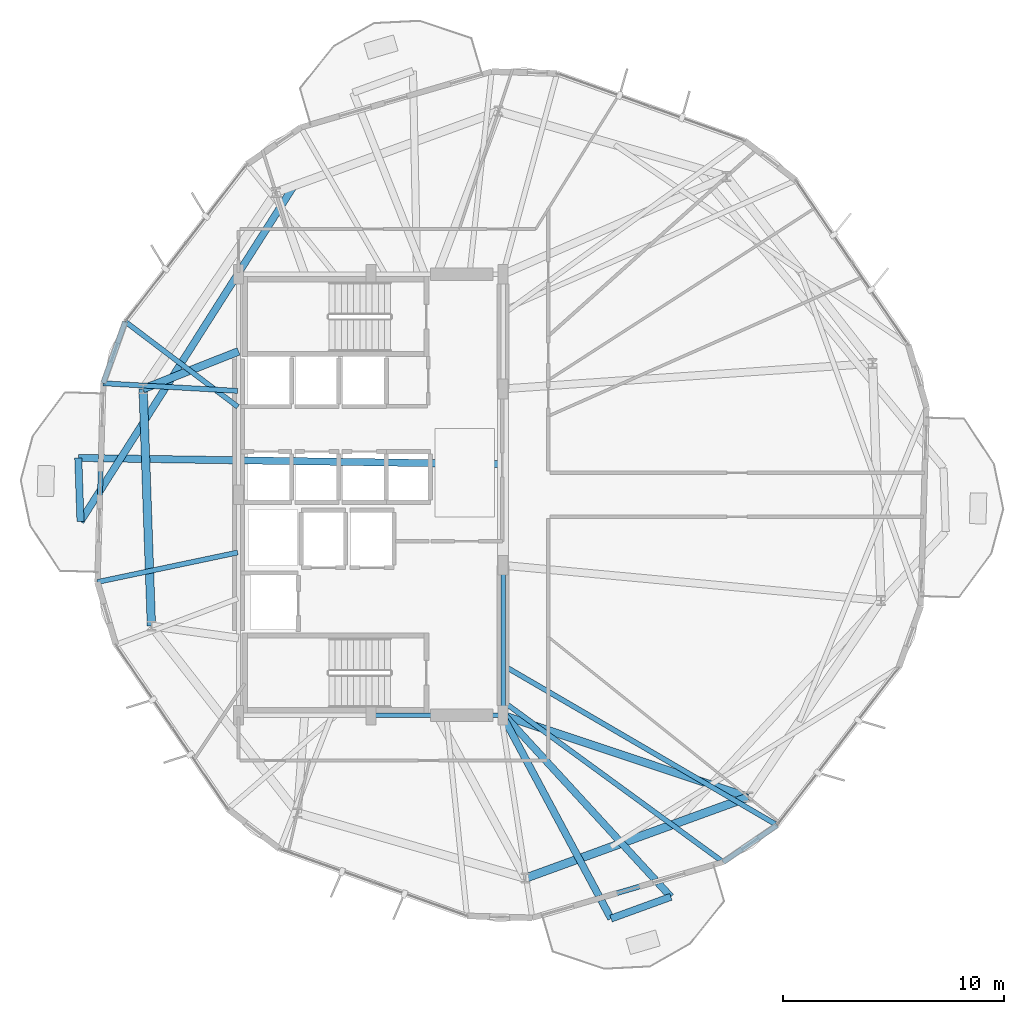
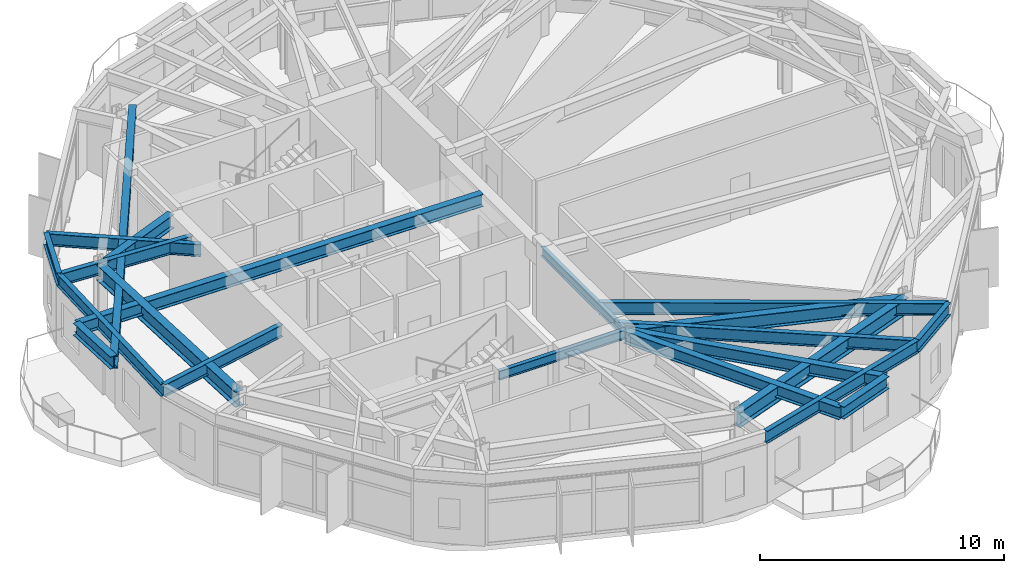
# One storey, part 5 of 24: 21 beams.
"""IFC4 building model written with IfcOpenShell, lengths in metres."""

from ifc_helpers import new_model, si_unit, direction, frame, origin, origin_2d, place, context, subcontext, project, spatial, i_section, extrude, material, material_profile, profile_set, type_object, element, save


model = new_model("IFC4")

# Units and contexts
model_context = context("Model", 3, precision=1e-05, world=origin(), true_north=direction((0.0, 1.0)))
body_context = subcontext(model_context, "Body", "Model", "MODEL_VIEW")
ifc_project = project(units=[si_unit("LENGTHUNIT", "METRE"), si_unit("AREAUNIT", "SQUARE_METRE"), si_unit("VOLUMEUNIT", "CUBIC_METRE"), si_unit("PLANEANGLEUNIT", "RADIAN"), si_unit("MASSUNIT", "GRAM", prefix="KILO")], contexts=[model_context])

# Site, building, storey
site_placement = place(None, origin())
site = spatial("IfcSite", under=ifc_project, at=site_placement, CompositionType="ELEMENT")
building_placement = place(site_placement, origin())
building = spatial("IfcBuilding", under=site, at=building_placement, Name="Soratama Intermodal Tower", CompositionType="ELEMENT")
storey_placement = place(building_placement, frame((0.0, 0.0, 91.300048828125)))
storey = spatial("IfcBuildingStorey", under=building, at=storey_placement, Name="L21", CompositionType="ELEMENT", Elevation=91.300048828125)

# Beams
ifc_material_1 = material(Name="Structural steel ASTM A992 Grade 50", Category="steel")
ifc_material_profile_1 = material_profile(ifc_material_1, i_section(OverallWidth=0.324951171875, OverallDepth=0.615966796875, WebThickness=0.013916015625, FlangeThickness=0.021484375, FilletRadius=0.013916015625, at=origin_2d()), Name="W24X117")
ifc_profile_set_1 = profile_set([ifc_material_profile_1], Name="Structural steel ASTM A992 Grade 50")
beam_type_1 = type_object("IfcBeamType", Name="BM-CANT-W24X117", PredefinedType="BEAM", material=ifc_profile_set_1)
beam_1_placement = place(storey_placement, frame((25.3330078125, 26.66796875, 3.2919921875), z_axis=(0.034686639918, -0.999398237447, 0.0), x_axis=(0.999398237447, 0.034686639918, 0.0)))
element("IfcBeam", 1, at=beam_1_placement, inside=storey, type_object=beam_type_1, Name="BM-L21-CBHDR-3", PredefinedType="BEAM", context=body_context, shape_type="SweptSolid", body=[
    extrude(i_section(OverallWidth=0.324951171875, OverallDepth=0.615966796875, WebThickness=0.013916015625, FlangeThickness=0.021484375, FilletRadius=0.013916015625, at=origin_2d()), origin(), (0.0, 0.0, 1.0), 2.8857421875),
])
beam_2_placement = place(storey_placement, frame((49.490966796875, 5.780029296875, 3.2919921875), z_axis=(0.93969211405, 0.342021535569, 0.0), x_axis=(-0.342021535569, 0.93969211405, 0.0)))
element("IfcBeam", 2, at=beam_2_placement, inside=storey, type_object=beam_type_1, Name="BM-L21-CBHDR-4", PredefinedType="BEAM", context=body_context, shape_type="SweptSolid", body=[
    extrude(i_section(OverallWidth=0.324951171875, OverallDepth=0.615966796875, WebThickness=0.013916015625, FlangeThickness=0.021484375, FilletRadius=0.013916015625, at=origin_2d()), origin(), (0.0, 0.0, 1.0), 2.885986328125),
])
beam_3_placement = place(storey_placement, frame((44.364990234375, 26.385986328125, 3.2919921875), z_axis=(-0.999890257582, 0.014814614169, 0.0), x_axis=(-0.014814614169, -0.999890257582, 0.0)))
element("IfcBeam", 3, at=beam_3_placement, inside=storey, type_object=beam_type_1, Name="BM-L21-CANT-3-1", PredefinedType="BEAM", context=body_context, shape_type="SweptSolid", body=[
    extrude(i_section(OverallWidth=0.324951171875, OverallDepth=0.615966796875, WebThickness=0.013916015625, FlangeThickness=0.021484375, FilletRadius=0.013916015625, at=origin_2d()), origin(), (0.0, 0.0, 1.0), 19.0341796875),
])
beam_4_placement = place(storey_placement, frame((35.092041015625, 38.97802734375, 3.2919921875), z_axis=(-0.536478839385, -0.84391377219, 0.0), x_axis=(0.84391377219, -0.536478839385, 0.0)))
element("IfcBeam", 4, at=beam_4_placement, inside=storey, type_object=beam_type_1, Name="BM-L21-CANT-3-2", PredefinedType="BEAM", context=body_context, shape_type="SweptSolid", body=[
    extrude(i_section(OverallWidth=0.324951171875, OverallDepth=0.615966796875, WebThickness=0.013916015625, FlangeThickness=0.021484375, FilletRadius=0.013916015625, at=origin_2d()), origin(), (0.0, 0.0, 1.0), 18.00439453125),
])
beam_5_placement = place(storey_placement, frame((44.575927734375, 14.965087890625, 3.2919921875), z_axis=(0.47180903985, -0.881700759847, 0.0), x_axis=(0.881700759847, 0.47180903985, 0.0)))
element("IfcBeam", 5, at=beam_5_placement, inside=storey, type_object=beam_type_1, Name="BM-L21-CANT-4-1", PredefinedType="BEAM", context=body_context, shape_type="SweptSolid", body=[
    extrude(i_section(OverallWidth=0.324951171875, OverallDepth=0.615966796875, WebThickness=0.013916015625, FlangeThickness=0.021484375, FilletRadius=0.013916015625, at=origin_2d()), origin(), (0.0, 0.0, 1.0), 10.41748046875),
])
beam_6_placement = place(storey_placement, frame((44.626953125, 15.01806640625, 3.2919921875), z_axis=(0.676332366368, -0.736596585794, 0.0), x_axis=(0.736596585794, 0.676332366368, 0.0)))
element("IfcBeam", 6, at=beam_6_placement, inside=storey, type_object=beam_type_1, Name="BM-L21-CANT-4-2", PredefinedType="BEAM", context=body_context, shape_type="SweptSolid", body=[
    extrude(i_section(OverallWidth=0.324951171875, OverallDepth=0.615966796875, WebThickness=0.013916015625, FlangeThickness=0.021484375, FilletRadius=0.013916015625, at=origin_2d()), origin(), (0.0, 0.0, 1.0), 11.201416015625),
])
ifc_material_2 = material(Name="Structural steel ASTM A992 Grade 50", Category="steel")
ifc_material_profile_2 = material_profile(ifc_material_2, i_section(OverallWidth=0.19091796875, OverallDepth=0.4599609375, WebThickness=0.010009765625, FlangeThickness=0.01611328125, FilletRadius=0.010986328125, at=origin_2d()), Name="W18X55")
ifc_profile_set_2 = profile_set([ifc_material_profile_2], Name="Structural steel ASTM A992 Grade 50")
beam_type_2 = type_object("IfcBeamType", Name="BM-FLR-W18X55", PredefinedType="BEAM", material=ifc_profile_set_2)
beam_7_placement = place(storey_placement, frame((38.60009765625, 15.0, 3.369873046875), z_axis=(1.0, 0.0, 0.0), x_axis=(0.0, 1.0, 0.0)))
element("IfcBeam", 7, at=beam_7_placement, inside=storey, type_object=beam_type_2, Name="BM-L21-CRING-02", PredefinedType="BEAM", context=body_context, shape_type="SweptSolid", body=[
    extrude(i_section(OverallWidth=0.19091796875, OverallDepth=0.4599609375, WebThickness=0.010009765625, FlangeThickness=0.01611328125, FilletRadius=0.010986328125, at=origin_2d()), origin(), (0.0, 0.0, 1.0), 6.0),
])
beam_8_placement = place(storey_placement, frame((44.60009765625, 15.0, 3.369873046875), z_axis=(0.0, 1.0, 0.0), x_axis=(-1.0, 0.0, 0.0)))
element("IfcBeam", 8, at=beam_8_placement, inside=storey, type_object=beam_type_2, Name="BM-L21-CRING-03", PredefinedType="BEAM", context=body_context, shape_type="SweptSolid", body=[
    extrude(i_section(OverallWidth=0.19091796875, OverallDepth=0.4599609375, WebThickness=0.010009765625, FlangeThickness=0.01611328125, FilletRadius=0.010986328125, at=origin_2d()), origin(), (0.0, 0.0, 1.0), 6.800048828125),
])
ifc_material_3 = material(Name="Structural steel ASTM A992 Grade 50", Category="steel")
ifc_material_profile_3 = material_profile(ifc_material_3, i_section(OverallWidth=0.35498046875, OverallDepth=0.695068359375, WebThickness=0.015380859375, FlangeThickness=0.02490234375, FilletRadius=0.01611328125, at=origin_2d()), Name="W27X146")
ifc_profile_set_3 = profile_set([ifc_material_profile_3], Name="Structural steel ASTM A992 Grade 50")
beam_type_3 = type_object("IfcBeamType", Name="BM-RING-W27X146", PredefinedType="BEAM", material=ifc_profile_set_3)
beam_9_placement = place(storey_placement, frame((32.60009765625, 31.5, 3.25244140625), z_axis=(-0.930419244357, -0.366496970971, 0.0), x_axis=(0.366496970971, -0.930419244357, 0.0)))
element("IfcBeam", 9, at=beam_9_placement, inside=storey, type_object=beam_type_3, Name="BM-L21-RAD-05", PredefinedType="BEAM", context=body_context, shape_type="SweptSolid", body=[
    extrude(i_section(OverallWidth=0.35498046875, OverallDepth=0.695068359375, WebThickness=0.015380859375, FlangeThickness=0.02490234375, FilletRadius=0.01611328125, at=origin_2d()), origin(), (0.0, 0.0, 1.0), 4.649658203125),
])
beam_10_placement = place(storey_placement, frame((44.60009765625, 15.0, 3.25244140625), z_axis=(0.948503923169, -0.316765382787, 0.0), x_axis=(0.316765382787, 0.948503923169, 0.0)))
element("IfcBeam", 10, at=beam_10_placement, inside=storey, type_object=beam_type_3, Name="BM-L21-RAD-09", PredefinedType="BEAM", context=body_context, shape_type="SweptSolid", body=[
    extrude(i_section(OverallWidth=0.35498046875, OverallDepth=0.695068359375, WebThickness=0.015380859375, FlangeThickness=0.02490234375, FilletRadius=0.01611328125, at=origin_2d()), origin(), (0.0, 0.0, 1.0), 11.715087890625),
])
ifc_material_4 = material(Name="Structural steel ASTM A992 Grade 50", Category="steel")
ifc_material_profile_4 = material_profile(ifc_material_4, i_section(OverallWidth=0.382080078125, OverallDepth=0.779052734375, WebThickness=0.01806640625, FlangeThickness=0.030029296875, FilletRadius=0.01806640625, at=origin_2d()), Name="W30X191")
ifc_profile_set_4 = profile_set([ifc_material_profile_4], Name="Structural steel ASTM A992 Grade 50")
beam_type_4 = type_object("IfcBeamType", Name="BM-RING-W30X191", PredefinedType="BEAM", material=ifc_profile_set_4)
for number, where, z_axis, x_axis, name in (
    (11, (28.27392578125, 29.7958984375, 3.21044921875), (0.034872799059, -0.999391758964, 0.0), (0.999391758964, 0.034872799059, 0.0), "BM-L21-RING-05"),
    (12, (45.60693359375, 7.611083984375, 3.21044921875), (0.939690636038, 0.342025596326, 0.0), (-0.342025596326, 0.939690636038, 0.0), "BM-L21-RING-08"),
):
    element("IfcBeam", number, at=place(storey_placement, frame(where, z_axis=z_axis, x_axis=x_axis)), inside=storey, type_object=beam_type_4, Name=name, PredefinedType="BEAM", context=body_context, shape_type="SweptSolid", body=[
        extrude(i_section(OverallWidth=0.382080078125, OverallDepth=0.779052734375, WebThickness=0.01806640625, FlangeThickness=0.030029296875, FilletRadius=0.01806640625, at=origin_2d()), origin(), (0.0, 0.0, 1.0), 10.75341796875),
    ])
ifc_material_5 = material(Name="Structural steel ASTM A992 Grade 50", Category="steel")
ifc_material_profile_5 = material_profile(ifc_material_5, i_section(OverallWidth=0.22900390625, OverallDepth=0.612060546875, WebThickness=0.011962890625, FlangeThickness=0.01953125, FilletRadius=0.012939453125, at=origin_2d()), Name="W24X84")
ifc_profile_set_5 = profile_set([ifc_material_profile_5], Name="Structural steel ASTM A992 Grade 50")
beam_type_5 = type_object("IfcBeamType", Name="BM-SPN-W24X84", PredefinedType="SPANDREL", material=ifc_profile_set_5)
beam_11_placement = place(storey_placement, frame((27.464111328125, 32.846923828125, 3.2939453125), z_axis=(-0.336795183778, -0.941577933144, 0.0), x_axis=(0.941577933144, -0.336795183778, 0.0)))
element("IfcBeam", 13, at=beam_11_placement, inside=storey, type_object=beam_type_5, Name="BS-L21-CRN04", PredefinedType="SPANDREL", context=body_context, shape_type="SweptSolid", body=[
    extrude(i_section(OverallWidth=0.22900390625, OverallDepth=0.612060546875, WebThickness=0.011962890625, FlangeThickness=0.01953125, FilletRadius=0.012939453125, at=origin_2d()), origin(), (0.0, 0.0, 1.0), 2.96630859375),
])
beam_12_placement = place(storey_placement, frame((26.465087890625, 30.053955078125, 3.2939453125), z_axis=(-0.02940462127, -0.999567590635, 0.0), x_axis=(0.999567590635, -0.02940462127, 0.0)))
element("IfcBeam", 14, at=beam_12_placement, inside=storey, type_object=beam_type_5, Name="BS-L21-F05", PredefinedType="SPANDREL", context=body_context, shape_type="SweptSolid", body=[
    extrude(i_section(OverallWidth=0.22900390625, OverallDepth=0.612060546875, WebThickness=0.011962890625, FlangeThickness=0.01953125, FilletRadius=0.012939453125, at=origin_2d()), origin(), (0.0, 0.0, 1.0), 9.016845703125),
])
beam_13_placement = place(storey_placement, frame((45.9208984375, 5.81005859375, 3.2939453125), z_axis=(0.959706247002, 0.281005194731, 0.0), x_axis=(-0.281005194731, 0.959706247002, 0.0)))
element("IfcBeam", 15, at=beam_13_placement, inside=storey, type_object=beam_type_5, Name="BS-L21-F08", PredefinedType="SPANDREL", context=body_context, shape_type="SweptSolid", body=[
    extrude(i_section(OverallWidth=0.22900390625, OverallDepth=0.612060546875, WebThickness=0.011962890625, FlangeThickness=0.01953125, FilletRadius=0.012939453125, at=origin_2d()), origin(), (0.0, 0.0, 1.0), 9.017333984375),
])
beam_14_placement = place(storey_placement, frame((54.574951171875, 8.343994140625, 3.2939453125), z_axis=(0.825807525175, 0.563952064776, 0.0), x_axis=(-0.563952064776, 0.825807525175, 0.0)))
element("IfcBeam", 16, at=beam_14_placement, inside=storey, type_object=beam_type_5, Name="BS-L21-CRN08", PredefinedType="SPANDREL", context=body_context, shape_type="SweptSolid", body=[
    extrude(i_section(OverallWidth=0.22900390625, OverallDepth=0.612060546875, WebThickness=0.011962890625, FlangeThickness=0.01953125, FilletRadius=0.012939453125, at=origin_2d()), origin(), (0.0, 0.0, 1.0), 2.966796875),
])
ifc_material_6 = material(Name="Structural steel ASTM A992 Grade 50", Category="steel")
ifc_material_profile_6 = material_profile(ifc_material_6, i_section(OverallWidth=0.22900390625, OverallDepth=0.612060546875, WebThickness=0.011962890625, FlangeThickness=0.01953125, FilletRadius=0.012939453125, at=origin_2d()), Name="W24X84")
ifc_profile_set_6 = profile_set([ifc_material_profile_6], Name="Structural steel ASTM A992 Grade 50")
beam_type_6 = type_object("IfcBeamType", Name="BM-TIE-W24X84", PredefinedType="BEAM", material=ifc_profile_set_6)
beam_15_placement = place(storey_placement, frame((32.568115234375, 28.986083984375, 3.2939453125), z_axis=(-0.797530399777, 0.603278759307, 0.0), x_axis=(-0.603278759307, -0.797530399777, 0.0)))
element("IfcBeam", 17, at=beam_15_placement, inside=storey, type_object=beam_type_6, Name="BM-L21-TIE1-04", PredefinedType="BEAM", context=body_context, shape_type="SweptSolid", body=[
    extrude(i_section(OverallWidth=0.22900390625, OverallDepth=0.612060546875, WebThickness=0.011962890625, FlangeThickness=0.01953125, FilletRadius=0.012939453125, at=origin_2d()), origin(), (0.0, 0.0, 1.0), 6.399658203125),
])
beam_16_placement = place(storey_placement, frame((32.56005859375, 29.7080078125, 3.2939453125), z_axis=(-0.99839306335, 0.056668254387, 0.0), x_axis=(-0.056668254387, -0.99839306335, 0.0)))
element("IfcBeam", 18, at=beam_16_placement, inside=storey, type_object=beam_type_6, Name="BM-L21-TIE0-05", PredefinedType="BEAM", context=body_context, shape_type="SweptSolid", body=[
    extrude(i_section(OverallWidth=0.22900390625, OverallDepth=0.612060546875, WebThickness=0.011962890625, FlangeThickness=0.01953125, FilletRadius=0.012939453125, at=origin_2d()), origin(), (0.0, 0.0, 1.0), 6.104736328125),
])
beam_17_placement = place(storey_placement, frame((32.56103515625, 22.381103515625, 3.2939453125), z_axis=(-0.978521484239, -0.206144863826, 0.0), x_axis=(0.206144863826, -0.978521484239, 0.0)))
element("IfcBeam", 19, at=beam_17_placement, inside=storey, type_object=beam_type_6, Name="BM-L21-TIE1-05", PredefinedType="BEAM", context=body_context, shape_type="SweptSolid", body=[
    extrude(i_section(OverallWidth=0.22900390625, OverallDepth=0.612060546875, WebThickness=0.011962890625, FlangeThickness=0.01953125, FilletRadius=0.012939453125, at=origin_2d()), origin(), (0.0, 0.0, 1.0), 6.500732421875),
])
beam_18_placement = place(storey_placement, frame((44.632080078125, 15.595947265625, 3.2939453125), z_axis=(0.807932364295, -0.589275228331, 0.0), x_axis=(0.589275228331, 0.807932364295, 0.0)))
element("IfcBeam", 20, at=beam_18_placement, inside=storey, type_object=beam_type_6, Name="BM-L21-TIE1-08", PredefinedType="BEAM", context=body_context, shape_type="SweptSolid", body=[
    extrude(i_section(OverallWidth=0.22900390625, OverallDepth=0.612060546875, WebThickness=0.011962890625, FlangeThickness=0.01953125, FilletRadius=0.012939453125, at=origin_2d()), origin(), (0.0, 0.0, 1.0), 12.306640625),
])
beam_19_placement = place(storey_placement, frame((44.635009765625, 17.242919921875, 3.2939453125), z_axis=(0.863827668502, -0.503787414622, 0.0), x_axis=(0.503787414622, 0.863827668502, 0.0)))
element("IfcBeam", 21, at=beam_19_placement, inside=storey, type_object=beam_type_6, Name="BM-L21-TIE0-09", PredefinedType="BEAM", context=body_context, shape_type="SweptSolid", body=[
    extrude(i_section(OverallWidth=0.22900390625, OverallDepth=0.612060546875, WebThickness=0.011962890625, FlangeThickness=0.01953125, FilletRadius=0.012939453125, at=origin_2d()), origin(), (0.0, 0.0, 1.0), 14.343017578125),
])

save(model, "model.ifc")
